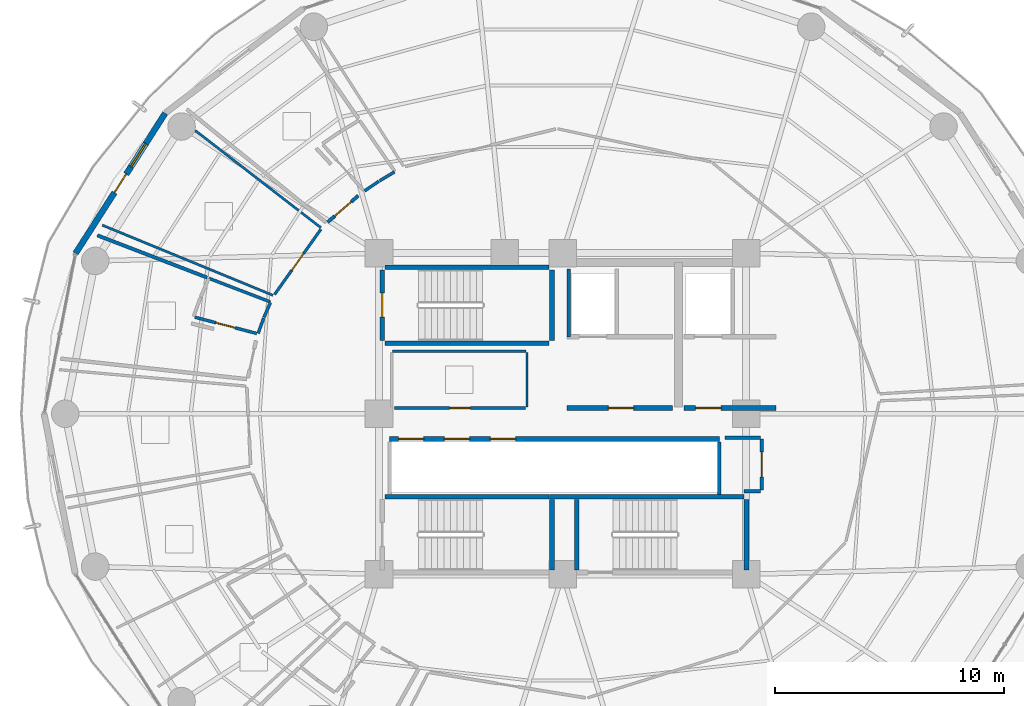
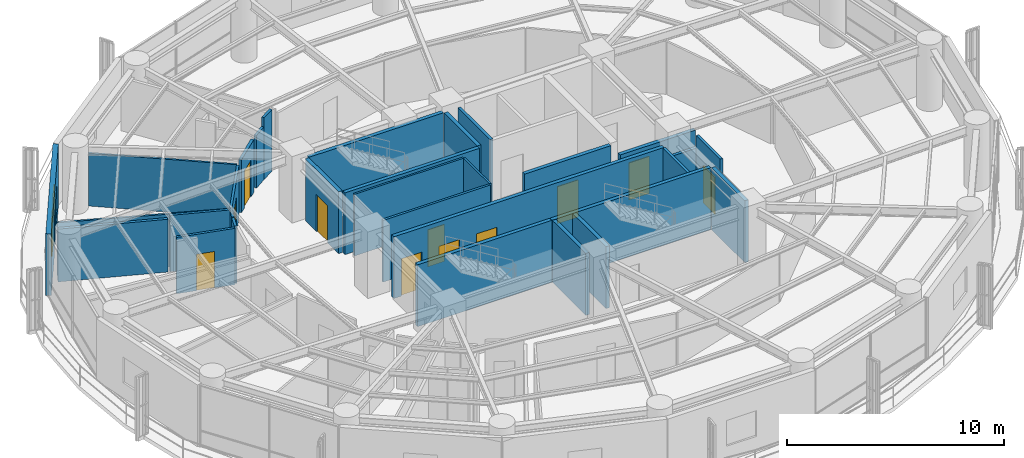
# One storey, part 23 of 28: 32 walls, 12 doors, 1 window, 13 openings.
"""IFC4 building model written with IfcOpenShell, lengths in metres."""

from ifc_helpers import new_model, si_unit, direction, frame, frame_2d, origin, place, context, subcontext, project, spatial, rectangle, extrude, material, layer, layer_set, type_object, element, fill, save


model = new_model("IFC4")

# Units and contexts
model_context = context("Model", 3, precision=1e-05, world=origin(), true_north=direction((0.0, 1.0)))
body_context = subcontext(model_context, "Body", "Model", "MODEL_VIEW")
ifc_project = project(units=[si_unit("LENGTHUNIT", "METRE"), si_unit("AREAUNIT", "SQUARE_METRE"), si_unit("VOLUMEUNIT", "CUBIC_METRE"), si_unit("PLANEANGLEUNIT", "RADIAN"), si_unit("MASSUNIT", "GRAM", prefix="KILO")], contexts=[model_context])

# Site, building, storey
site_placement = place(None, origin())
site = spatial("IfcSite", under=ifc_project, at=site_placement, CompositionType="ELEMENT")
building_placement = place(site_placement, origin())
building = spatial("IfcBuilding", under=site, at=building_placement, Name="Kelanora Arch Commons", CompositionType="ELEMENT")
storey_placement = place(building_placement, frame((0.0, 0.0, 158.10009765625)))
storey = spatial("IfcBuildingStorey", under=building, at=storey_placement, Name="L40", CompositionType="ELEMENT", Elevation=158.10009765625)

# Walls
ifc_material_1 = material(Name="Autoclaved aerated concrete blockwork with fire plaster", Category="masonry")
ifc_layer_1 = layer(ifc_material_1, 0.14990234375)
ifc_layer_set_1 = layer_set([ifc_layer_1], Name="Autoclaved aerated concrete blockwork with fire plaster")
wall_type_1 = type_object("IfcWallType", Name="W-COMP-150", PredefinedType="PARTITIONING", material=ifc_layer_set_1)
wall_1_placement = place(storey_placement, frame((74.280029296875, 61.35009765625, 0.0), z_axis=(0.0, 0.0, 1.0), x_axis=(0.0, 1.0, 0.0)))
element("IfcWall", 1, at=wall_1_placement, inside=storey, type_object=wall_type_1, Name="Firefighting Lift 1 West Shaft Wall L40", PredefinedType="PARTITIONING", context=body_context, shape_type="SweptSolid", body=[
    extrude(rectangle(XDim=2.969970703125, YDim=0.14990234375, at=frame_2d((1.48486328125, 0.0))), origin(), (0.0, 0.0, 1.0), 3.47998046875),
])
wall_2_placement = place(storey_placement, frame((80.840087890625, 54.47998046875, 0.0), z_axis=(0.0, 0.0, 1.0), x_axis=(0.0, 1.0, 0.0)))
element("IfcWall", 2, at=wall_2_placement, inside=storey, type_object=wall_type_1, Name="South Lift Bank East Wall L40", PredefinedType="PARTITIONING", context=body_context, shape_type="SweptSolid", body=[
    extrude(rectangle(XDim=2.2900390625, YDim=0.14990234375, at=frame_2d((1.14501953125, 0.0))), origin(), (0.0, 0.0, 1.0), 3.47998046875),
])

# Wall, opening, door
wall_3_placement = place(storey_placement, frame((82.679931640625, 54.679931640625, 0.0), z_axis=(0.0, 0.0, 1.0), x_axis=(0.0, 1.0, 0.0)))
wall_3 = element("IfcWall", 3, at=wall_3_placement, inside=storey, type_object=wall_type_1, Name="Core Housekeeping Store L40 Entry Partition", PredefinedType="PARTITIONING", context=body_context, shape_type="SweptSolid", body=[
    extrude(rectangle(XDim=2.2099609375, YDim=0.14990234375, at=frame_2d((1.10498046875, 0.0))), origin(), (0.0, 0.0, 1.0), 3.47998046875),
])
opening_1_placement = place(wall_3_placement, frame((0.56494140625, 0.0, 0.0)))
opening_1 = element("IfcOpeningElement", 4, at=opening_1_placement, cuts=wall_3, Name="Opening D-PLT1", PredefinedType="OPENING", context=body_context, shape_type="SweptSolid", body=[
    extrude(rectangle(XDim=1.080078125, YDim=2.10009765625, at=frame_2d((0.5400390625, 1.050048828125))), frame((0.0, 0.0849609375, 0.0), z_axis=(0.0, -1.0, 0.0), x_axis=(1.0, 0.0, 0.0)), (0.0, 0.0, 1.0), 0.169921875),
])
ifc_material_2 = material(Name="Galvanised steel plant and riser fire door", Category="steel")
door_type_1 = type_object("IfcDoorType", Name="D-PLT-110", OperationType="NOTDEFINED", PredefinedType="DOOR", material=ifc_material_2)
door_1_placement = place(opening_1_placement, origin())
door_1 = element("IfcDoor", 5, at=door_1_placement, inside=storey, type_object=door_type_1, Name="Core Housekeeping Store L40 Door", OperationType="SINGLE_SWING_RIGHT", OverallHeight=2.10009765625, OverallWidth=1.080078125, PredefinedType="DOOR", context=body_context, shape_type="SweptSolid", body=[
    extrude(rectangle(XDim=1.080078125, YDim=2.10009765625, at=frame_2d((0.5400390625, 1.050048828125))), frame((0.0, 0.02490234375, 0.0), z_axis=(0.0, -1.0, 0.0), x_axis=(1.0, 0.0, 0.0)), (0.0, 0.0, 1.0), 0.050048828125),
])
fill(opening_1, door_1)

wall_4_placement = place(storey_placement, frame((65.094482421875, 67.504638671875, 0.0), z_axis=(0.0, 0.0, 1.0), x_axis=(-0.756110527693, -0.654443939472, 0.0)))
wall_4 = element("IfcWall", 6, at=wall_4_placement, inside=storey, type_object=wall_type_1, Name="Cluster Bedroom L40-01 Entry Partition", PredefinedType="PARTITIONING", context=body_context, shape_type="SweptSolid", body=[
    extrude(rectangle(XDim=1.7578125, YDim=0.14990234375, at=frame_2d((0.87890625, 0.0))), origin(), (0.0, 0.0, 1.0), 2.974853515625),
])
opening_2_placement = place(wall_4_placement, frame((0.404052734375, 0.0, 0.0)))
opening_2 = element("IfcOpeningElement", 7, at=opening_2_placement, cuts=wall_4, Name="Opening D-CLU1", PredefinedType="OPENING", context=body_context, shape_type="SweptSolid", body=[
    extrude(rectangle(XDim=0.949951171875, YDim=2.080078125, at=frame_2d((0.47509765625, 1.0400390625))), frame((0.0, 0.0849609375, 0.0), z_axis=(0.0, -1.0, 0.0), x_axis=(1.0, 0.0, 0.0)), (0.0, 0.0, 1.0), 0.169921875),
])
ifc_material_3 = material(Name="Solid-core acoustic timber cluster entry fire door", Category="wood")
door_type_2 = type_object("IfcDoorType", Name="D-CLU-95", OperationType="NOTDEFINED", PredefinedType="DOOR", material=ifc_material_3)
door_2_placement = place(opening_2_placement, origin())
door_2 = element("IfcDoor", 8, at=door_2_placement, inside=storey, type_object=door_type_2, Name="Cluster Bedroom L40-01 Door", OperationType="SINGLE_SWING_LEFT", OverallHeight=2.080078125, OverallWidth=0.949951171875, PredefinedType="DOOR", context=body_context, shape_type="SweptSolid", body=[
    extrude(rectangle(XDim=0.949951171875, YDim=2.080078125, at=frame_2d((0.47509765625, 1.0400390625))), frame((0.0, 0.02490234375, 0.0), z_axis=(0.0, -1.0, 0.0), x_axis=(1.0, 0.0, 0.0)), (0.0, 0.0, 1.0), 0.050048828125),
])
fill(opening_2, door_2)

# Walls
wall_5_placement = place(storey_placement, frame((81.89990234375, 54.6201171875, 0.0), z_axis=(0.0, 0.0, 1.0), x_axis=(1.0, 0.0, 0.0)))
element("IfcWall", 9, at=wall_5_placement, inside=storey, type_object=wall_type_1, Name="Core Housekeeping Store L40 Enclosure Partition 1", PredefinedType="PARTITIONING", context=body_context, shape_type="SweptSolid", body=[
    extrude(rectangle(XDim=0.739990234375, YDim=0.14990234375, at=frame_2d((0.3701171875, 0.0))), origin(), (0.0, 0.0, 1.0), 2.77490234375),
])
wall_6_placement = place(storey_placement, frame((82.639892578125, 56.949951171875, 0.0), z_axis=(0.0, 0.0, 1.0), x_axis=(-1.0, 0.0, 0.0)))
element("IfcWall", 10, at=wall_6_placement, inside=storey, type_object=wall_type_1, Name="Core Housekeeping Store L40 Enclosure Partition 3", PredefinedType="PARTITIONING", context=body_context, shape_type="SweptSolid", body=[
    extrude(rectangle(XDim=1.5498046875, YDim=0.14990234375, at=frame_2d((0.77490234375, 0.0))), origin(), (0.0, 0.0, 1.0), 2.77490234375),
])
wall_7_placement = place(storey_placement, frame((53.723388671875, 65.776611328125, 0.0), z_axis=(0.0, 0.0, 1.0), x_axis=(0.933303856141, -0.359087610636, 0.0)))
element("IfcWall", 11, at=wall_7_placement, inside=storey, type_object=wall_type_1, Name="Cluster Bedroom L40-03 Enclosure Partition 5", PredefinedType="PARTITIONING", context=body_context, shape_type="SweptSolid", body=[
    extrude(rectangle(XDim=5.125, YDim=0.14990234375, at=frame_2d((2.5625, 0.0))), origin(), (0.0, 0.0, 1.0), 2.974853515625),
])

# Wall, openings, door, window
ifc_material_4 = material(Name="Precast concrete C40/50 with terracotta rainscreen", Category="masonry")
ifc_layer_2 = layer(ifc_material_4, 0.260009765625)
ifc_layer_set_2 = layer_set([ifc_layer_2], Name="Precast concrete C40/50 with terracotta rainscreen")
wall_type_2 = type_object("IfcWallType", Name="W-EXT-TC", PredefinedType="SOLIDWALL", material=ifc_layer_set_2)
wall_8_placement = place(storey_placement, frame((56.67919921875, 71.100341796875, 0.0), z_axis=(0.0, 0.0, 1.0), x_axis=(-0.538801521808, -0.842432739213, 0.0)))
wall_8 = element("IfcWall", 12, at=wall_8_placement, inside=storey, type_object=wall_type_2, Name="Terracotta Exterior Wall L40-B07", PredefinedType="SOLIDWALL", context=body_context, shape_type="SweptSolid", body=[
    extrude(rectangle(XDim=7.25341796875, YDim=0.260009765625, at=frame_2d((3.626708984375, 0.0))), origin(), (0.0, 0.0, 1.0), 3.474853515625),
])
opening_3_placement = place(wall_8_placement, frame((3.152099609375, 0.0, 0.0)))
opening_3 = element("IfcOpeningElement", 13, at=opening_3_placement, cuts=wall_8, Name="Opening DB-01", PredefinedType="OPENING", context=body_context, shape_type="SweptSolid", body=[
    extrude(rectangle(XDim=0.949951171875, YDim=2.10009765625, at=frame_2d((0.47509765625, 1.050048828125))), frame((0.0, 0.14013671875, 0.0), z_axis=(0.0, -1.0, 0.0), x_axis=(1.0, 0.0, 0.0)), (0.0, 0.0, 1.0), 0.280029296875),
])
opening_4_placement = place(wall_8_placement, frame((1.572021484375, 0.0, 0.85009765625)))
opening_4 = element("IfcOpeningElement", 14, at=opening_4_placement, cuts=wall_8, Name="Opening WN-02", PredefinedType="OPENING", context=body_context, shape_type="SweptSolid", body=[
    extrude(rectangle(XDim=1.199951171875, YDim=1.449951171875, at=frame_2d((0.60009765625, 0.72509765625))), frame((0.0, 0.14013671875, 0.0), z_axis=(0.0, -1.0, 0.0), x_axis=(1.0, 0.0, 0.0)), (0.0, 0.0, 1.0), 0.280029296875),
])
ifc_material_5 = material(Name="Terracotta-aluminium thermally broken glazed balcony door", Category="masonry")
door_type_3 = type_object("IfcDoorType", Name="D-BAL-10", OperationType="NOTDEFINED", PredefinedType="DOOR", material=ifc_material_5)
door_3_placement = place(opening_3_placement, frame((0.949951171875, 0.0, 0.0), z_axis=(0.0, 0.0, 1.0), x_axis=(-1.0, 0.0, 0.0)))
door_3 = element("IfcDoor", 15, at=door_3_placement, inside=storey, type_object=door_type_3, Name="Wave Balcony Door L40-B07", OperationType="SINGLE_SWING_RIGHT", OverallHeight=2.10009765625, OverallWidth=0.949951171875, PredefinedType="DOOR", context=body_context, shape_type="SweptSolid", body=[
    extrude(rectangle(XDim=0.949951171875, YDim=2.10009765625, at=frame_2d((0.47509765625, 1.050048828125))), frame((0.0, 0.02490234375, 0.0), z_axis=(0.0, -1.0, 0.0), x_axis=(1.0, 0.0, 0.0)), (0.0, 0.0, 1.0), 0.050048828125),
])
fill(opening_3, door_3)
ifc_material_6 = material(Name="Terracotta-anodised aluminium frame with operable awning sash", Category="masonry")
window_type = type_object("IfcWindowType", Name="WIN-CL-12", PartitioningType="SINGLE_PANEL", PredefinedType="WINDOW", material=ifc_material_6)
window_placement = place(opening_4_placement, origin())
window = element("IfcWindow", 16, at=window_placement, inside=storey, type_object=window_type, Name="Co-Living Operable Window L40-B07", OverallHeight=1.449951171875, OverallWidth=1.199951171875, PartitioningType="SINGLE_PANEL", PredefinedType="WINDOW", context=body_context, shape_type="SweptSolid", body=[
    extrude(rectangle(XDim=1.199951171875, YDim=1.449951171875, at=frame_2d((0.60009765625, 0.72509765625))), frame((0.0, 0.030029296875, 0.0), z_axis=(0.0, -1.0, 0.0), x_axis=(1.0, 0.0, 0.0)), (0.0, 0.0, 1.0), 0.06005859375),
])
fill(opening_4, window)

# Wall, opening, door
ifc_material_7 = material(Name="Concrete C40/50", Category="concrete")
ifc_layer_3 = layer(ifc_material_7, 0.199951171875)
ifc_layer_set_3 = layer_set([ifc_layer_3], Name="Concrete C40/50")
wall_type_3 = type_object("IfcWallType", Name="W-FFL-200", PredefinedType="SOLIDWALL", material=ifc_layer_set_3)
wall_9_placement = place(storey_placement, frame((74.199951171875, 58.25, 0.0), z_axis=(0.0, 0.0, 1.0), x_axis=(1.0, 0.0, 0.0)))
wall_9 = element("IfcWall", 17, at=wall_9_placement, inside=storey, type_object=wall_type_3, Name="Firefighting Lobby 1 Enclosure Wall L40", PredefinedType="SOLIDWALL", context=body_context, shape_type="SweptSolid", body=[
    extrude(rectangle(XDim=4.60009765625, YDim=0.199951171875, at=frame_2d((2.300048828125, 0.0))), origin(), (0.0, 0.0, 1.0), 3.47998046875),
])
opening_5_placement = place(wall_9_placement, frame((1.800048828125, 0.0, 0.0)))
opening_5 = element("IfcOpeningElement", 18, at=opening_5_placement, cuts=wall_9, Name="Opening D-FFL1", PredefinedType="OPENING", context=body_context, shape_type="SweptSolid", body=[
    extrude(rectangle(XDim=1.10009765625, YDim=2.10009765625, at=frame_2d((0.550048828125, 1.050048828125))), frame((0.0, 0.10986328125, 0.0), z_axis=(0.0, -1.0, 0.0), x_axis=(1.0, 0.0, 0.0)), (0.0, 0.0, 1.0), 0.219970703125),
])
ifc_material_8 = material(Name="Smoke-sealed firefighting lobby fire door")
door_type_4 = type_object("IfcDoorType", Name="D-FFL-110", OperationType="NOTDEFINED", PredefinedType="DOOR", material=ifc_material_8)
door_4_placement = place(opening_5_placement, frame((1.10009765625, 0.0, 0.0), z_axis=(0.0, 0.0, 1.0), x_axis=(-1.0, 0.0, 0.0)))
door_4 = element("IfcDoor", 19, at=door_4_placement, inside=storey, type_object=door_type_4, Name="Firefighting Lobby 1 Door L40", OperationType="SINGLE_SWING_LEFT", OverallHeight=2.10009765625, OverallWidth=1.10009765625, PredefinedType="DOOR", context=body_context, shape_type="SweptSolid", body=[
    extrude(rectangle(XDim=1.10009765625, YDim=2.10009765625, at=frame_2d((0.550048828125, 1.050048828125))), frame((0.0, 0.02490234375, 0.0), z_axis=(0.0, -1.0, 0.0), x_axis=(1.0, 0.0, 0.0)), (0.0, 0.0, 1.0), 0.050048828125),
])
fill(opening_5, door_4)

wall_10_placement = place(storey_placement, frame((79.300048828125, 58.25, 0.0), z_axis=(0.0, 0.0, 1.0), x_axis=(1.0, 0.0, 0.0)))
wall_10 = element("IfcWall", 20, at=wall_10_placement, inside=storey, type_object=wall_type_3, Name="Firefighting Lobby 2 Enclosure Wall L40", PredefinedType="SOLIDWALL", context=body_context, shape_type="SweptSolid", body=[
    extrude(rectangle(XDim=4.0, YDim=0.199951171875, at=frame_2d((2.0, 0.0))), origin(), (0.0, 0.0, 1.0), 2.77490234375),
])
opening_6_placement = place(wall_10_placement, frame((0.5, 0.0, 0.0)))
opening_6 = element("IfcOpeningElement", 21, at=opening_6_placement, cuts=wall_10, Name="Opening D-FFL1", PredefinedType="OPENING", context=body_context, shape_type="SweptSolid", body=[
    extrude(rectangle(XDim=1.10009765625, YDim=2.10009765625, at=frame_2d((0.550048828125, 1.050048828125))), frame((0.0, 0.10986328125, 0.0), z_axis=(0.0, -1.0, 0.0), x_axis=(1.0, 0.0, 0.0)), (0.0, 0.0, 1.0), 0.219970703125),
])
door_5_placement = place(opening_6_placement, frame((1.10009765625, 0.0, 0.0), z_axis=(0.0, 0.0, 1.0), x_axis=(-1.0, 0.0, 0.0)))
door_5 = element("IfcDoor", 22, at=door_5_placement, inside=storey, type_object=door_type_4, Name="Firefighting Lobby 2 Door L40", OperationType="SINGLE_SWING_RIGHT", OverallHeight=2.10009765625, OverallWidth=1.10009765625, PredefinedType="DOOR", context=body_context, shape_type="SweptSolid", body=[
    extrude(rectangle(XDim=1.10009765625, YDim=2.10009765625, at=frame_2d((0.550048828125, 1.050048828125))), frame((0.0, 0.02490234375, 0.0), z_axis=(0.0, -1.0, 0.0), x_axis=(1.0, 0.0, 0.0)), (0.0, 0.0, 1.0), 0.050048828125),
])
fill(opening_6, door_5)

# Wall, openings, doors
wall_11_placement = place(storey_placement, frame((66.449951171875, 56.89990234375, 0.0), z_axis=(0.0, 0.0, 1.0), x_axis=(1.0, 0.0, 0.0)))
wall_11 = element("IfcWall", 23, at=wall_11_placement, inside=storey, type_object=wall_type_3, Name="Mid/High/Express Lift Shaft Front L40", PredefinedType="SOLIDWALL", context=body_context, shape_type="SweptSolid", body=[
    extrude(rectangle(XDim=14.400146484375, YDim=0.199951171875, at=frame_2d((7.2001953125, 0.0))), origin(), (0.0, 0.0, 1.0), 3.47998046875),
])
opening_7_placement = place(wall_11_placement, frame((0.39990234375, 0.0, 0.0)))
opening_7 = element("IfcOpeningElement", 24, at=opening_7_placement, cuts=wall_11, Name="Opening LD-01", PredefinedType="OPENING", context=body_context, shape_type="SweptSolid", body=[
    extrude(rectangle(XDim=1.10009765625, YDim=2.10009765625, at=frame_2d((0.550048828125, 1.050048828125))), frame((0.0, 0.10986328125, 0.0), z_axis=(0.0, -1.0, 0.0), x_axis=(1.0, 0.0, 0.0)), (0.0, 0.0, 1.0), 0.219970703125),
])
opening_8_placement = place(wall_11_placement, frame((2.39990234375, 0.0, 0.0)))
opening_8 = element("IfcOpeningElement", 25, at=opening_8_placement, cuts=wall_11, Name="Opening LD-01", PredefinedType="OPENING", context=body_context, shape_type="SweptSolid", body=[
    extrude(rectangle(XDim=1.10009765625, YDim=2.10009765625, at=frame_2d((0.550048828125, 1.050048828125))), frame((0.0, 0.10986328125, 0.0), z_axis=(0.0, -1.0, 0.0), x_axis=(1.0, 0.0, 0.0)), (0.0, 0.0, 1.0), 0.219970703125),
])
opening_9_placement = place(wall_11_placement, frame((4.39990234375, 0.0, 0.0)))
opening_9 = element("IfcOpeningElement", 26, at=opening_9_placement, cuts=wall_11, Name="Opening LD-01", PredefinedType="OPENING", context=body_context, shape_type="SweptSolid", body=[
    extrude(rectangle(XDim=1.10009765625, YDim=2.10009765625, at=frame_2d((0.550048828125, 1.050048828125))), frame((0.0, 0.10986328125, 0.0), z_axis=(0.0, -1.0, 0.0), x_axis=(1.0, 0.0, 0.0)), (0.0, 0.0, 1.0), 0.219970703125),
])
ifc_material_9 = material(Name="Stainless steel passenger lift sliding landing door", Category="steel")
door_type_5 = type_object("IfcDoorType", Name="D-LIFT-110", OperationType="NOTDEFINED", PredefinedType="DOOR", material=ifc_material_9)
door_6_placement = place(opening_7_placement, origin())
door_6 = element("IfcDoor", 27, at=door_6_placement, inside=storey, type_object=door_type_5, Name="Passenger Lift LF-P4 Landing Door L40", OperationType="DOUBLE_DOOR_SLIDING", OverallHeight=2.10009765625, OverallWidth=1.10009765625, PredefinedType="DOOR", context=body_context, shape_type="SweptSolid", body=[
    extrude(rectangle(XDim=1.10009765625, YDim=2.10009765625, at=frame_2d((0.550048828125, 1.050048828125))), frame((0.0, 0.02490234375, 0.0), z_axis=(0.0, -1.0, 0.0), x_axis=(1.0, 0.0, 0.0)), (0.0, 0.0, 1.0), 0.050048828125),
])
fill(opening_7, door_6)
door_7_placement = place(opening_8_placement, origin())
door_7 = element("IfcDoor", 28, at=door_7_placement, inside=storey, type_object=door_type_5, Name="Passenger Lift LF-P5 Landing Door L40", OperationType="DOUBLE_DOOR_SLIDING", OverallHeight=2.10009765625, OverallWidth=1.10009765625, PredefinedType="DOOR", context=body_context, shape_type="SweptSolid", body=[
    extrude(rectangle(XDim=1.10009765625, YDim=2.10009765625, at=frame_2d((0.550048828125, 1.050048828125))), frame((0.0, 0.02490234375, 0.0), z_axis=(0.0, -1.0, 0.0), x_axis=(1.0, 0.0, 0.0)), (0.0, 0.0, 1.0), 0.050048828125),
])
fill(opening_8, door_7)
door_8_placement = place(opening_9_placement, origin())
door_8 = element("IfcDoor", 29, at=door_8_placement, inside=storey, type_object=door_type_5, Name="Passenger Lift LF-P6 Landing Door L40", OperationType="DOUBLE_DOOR_SLIDING", OverallHeight=2.10009765625, OverallWidth=1.10009765625, PredefinedType="DOOR", context=body_context, shape_type="SweptSolid", body=[
    extrude(rectangle(XDim=1.10009765625, YDim=2.10009765625, at=frame_2d((0.550048828125, 1.050048828125))), frame((0.0, 0.02490234375, 0.0), z_axis=(0.0, -1.0, 0.0), x_axis=(1.0, 0.0, 0.0)), (0.0, 0.0, 1.0), 0.050048828125),
])
fill(opening_9, door_8)

# Walls
ifc_material_10 = material(Name="Lightweight fire-rated acoustic stud partition")
ifc_layer_4 = layer(ifc_material_10, 0.10009765625)
ifc_layer_set_4 = layer_set([ifc_layer_4], Name="Lightweight fire-rated acoustic stud partition")
wall_type_4 = type_object("IfcWallType", Name="W-PART-100", PredefinedType="PARTITIONING", material=ifc_layer_set_4)
wall_12_placement = place(storey_placement, frame((72.449951171875, 58.2900390625, 0.0), z_axis=(0.0, 0.0, 1.0), x_axis=(0.0, 1.0, 0.0)))
element("IfcWall", 30, at=wall_12_placement, inside=storey, type_object=wall_type_4, Name="Reclaimed Core Study Pod Lounge L40 Enclosure Partition 2", PredefinedType="PARTITIONING", context=body_context, shape_type="SweptSolid", body=[
    extrude(rectangle(XDim=2.389892578125, YDim=0.10009765625, at=frame_2d((1.19482421875, 0.0))), origin(), (0.0, 0.0, 1.0), 3.47998046875),
])
wall_13_placement = place(storey_placement, frame((72.409912109375, 60.719970703125, 0.0), z_axis=(0.0, 0.0, 1.0), x_axis=(-1.0, 0.0, 0.0)))
element("IfcWall", 31, at=wall_13_placement, inside=storey, type_object=wall_type_4, Name="Reclaimed Core Study Pod Lounge L40 Enclosure Partition 3", PredefinedType="PARTITIONING", context=body_context, shape_type="SweptSolid", body=[
    extrude(rectangle(XDim=5.81982421875, YDim=0.10009765625, at=frame_2d((2.909912109375, 0.0))), origin(), (0.0, 0.0, 1.0), 3.47998046875),
])
wall_14_placement = place(storey_placement, frame((61.375, 63.164306640625, 0.0), z_axis=(0.0, 0.0, 1.0), x_axis=(-0.924943940784, 0.380103546953, 0.0)))
element("IfcWall", 32, at=wall_14_placement, inside=storey, type_object=wall_type_4, Name="Shared Cluster Kitchen L40-02 Enclosure Partition 2", PredefinedType="PARTITIONING", context=body_context, shape_type="SweptSolid", body=[
    extrude(rectangle(XDim=8.038330078125, YDim=0.10009765625, at=frame_2d((4.01904296875, 0.0))), origin(), (0.0, 0.0, 1.0), 2.974853515625),
])
wall_15_placement = place(storey_placement, frame((57.991943359375, 70.345947265625, 0.0), z_axis=(0.0, 0.0, 1.0), x_axis=(0.790939607083, -0.611894221207, 0.0)))
element("IfcWall", 33, at=wall_15_placement, inside=storey, type_object=wall_type_4, Name="Shared Cluster Kitchen L40-02 Enclosure Partition 4", PredefinedType="PARTITIONING", context=body_context, shape_type="SweptSolid", body=[
    extrude(rectangle(XDim=6.920166015625, YDim=0.10009765625, at=frame_2d((3.4599609375, 0.0))), origin(), (0.0, 0.0, 1.0), 2.974853515625),
])

# Wall, opening, door
ifc_material_11 = material(Name="Acoustic twin-stud fire-rated gypsum partition")
ifc_layer_5 = layer(ifc_material_11, 0.1201171875)
ifc_layer_set_5 = layer_set([ifc_layer_5], Name="Acoustic twin-stud fire-rated gypsum partition")
wall_type_5 = type_object("IfcWallType", Name="W-PART-120", PredefinedType="PARTITIONING", material=ifc_layer_set_5)
wall_16_placement = place(storey_placement, frame((66.67529296875, 58.25, 0.0), z_axis=(0.0, 0.0, 1.0), x_axis=(1.0, 0.0, 0.0)))
wall_16 = element("IfcWall", 34, at=wall_16_placement, inside=storey, type_object=wall_type_5, Name="Reclaimed Core Study Pod Lounge L40 Entry Partition", PredefinedType="PARTITIONING", context=body_context, shape_type="SweptSolid", body=[
    extrude(rectangle(XDim=5.714599609375, YDim=0.1201171875, at=frame_2d((2.857421875, 0.0))), origin(), (0.0, 0.0, 1.0), 3.47998046875),
])
opening_10_placement = place(wall_16_placement, frame((2.406982421875, 0.0, 0.0)))
opening_10 = element("IfcOpeningElement", 35, at=opening_10_placement, cuts=wall_16, Name="Opening D-RM1", PredefinedType="OPENING", context=body_context, shape_type="SweptSolid", body=[
    extrude(rectangle(XDim=0.89990234375, YDim=2.080078125, at=frame_2d((0.449951171875, 1.0400390625))), frame((0.0, 0.070068359375, 0.0), z_axis=(0.0, -1.0, 0.0), x_axis=(1.0, 0.0, 0.0)), (0.0, 0.0, 1.0), 0.14013671875),
])
ifc_material_12 = material(Name="Acoustic fire-rated timber study and lounge door", Category="wood")
door_type_6 = type_object("IfcDoorType", Name="D-ROOM-90", OperationType="NOTDEFINED", PredefinedType="DOOR", material=ifc_material_12)
door_9_placement = place(opening_10_placement, origin())
door_9 = element("IfcDoor", 36, at=door_9_placement, inside=storey, type_object=door_type_6, Name="Reclaimed Core Study Pod Lounge L40 Door", OperationType="SINGLE_SWING_LEFT", OverallHeight=2.080078125, OverallWidth=0.89990234375, PredefinedType="DOOR", context=body_context, shape_type="SweptSolid", body=[
    extrude(rectangle(XDim=0.89990234375, YDim=2.080078125, at=frame_2d((0.449951171875, 1.0400390625))), frame((0.0, 0.02490234375, 0.0), z_axis=(0.0, -1.0, 0.0), x_axis=(1.0, 0.0, 0.0)), (0.0, 0.0, 1.0), 0.050048828125),
])
fill(opening_10, door_9)

wall_17_placement = place(storey_placement, frame((63.46240234375, 66.0380859375, 0.0), z_axis=(0.0, 0.0, 1.0), x_axis=(-0.578762045024, -0.815496471629, 0.0)))
wall_17 = element("IfcWall", 37, at=wall_17_placement, inside=storey, type_object=wall_type_5, Name="Shared Cluster Kitchen L40-02 Entry Partition", PredefinedType="PARTITIONING", context=body_context, shape_type="SweptSolid", body=[
    extrude(rectangle(XDim=3.482666015625, YDim=0.1201171875, at=frame_2d((1.7412109375, 0.0))), origin(), (0.0, 0.0, 1.0), 2.974853515625),
])
opening_11_placement = place(wall_17_placement, frame((1.291015625, 0.0, 0.0)))
opening_11 = element("IfcOpeningElement", 38, at=opening_11_placement, cuts=wall_17, Name="Opening D-RM1", PredefinedType="OPENING", context=body_context, shape_type="SweptSolid", body=[
    extrude(rectangle(XDim=0.89990234375, YDim=2.080078125, at=frame_2d((0.449951171875, 1.0400390625))), frame((0.0, 0.070068359375, 0.0), z_axis=(0.0, -1.0, 0.0), x_axis=(1.0, 0.0, 0.0)), (0.0, 0.0, 1.0), 0.14013671875),
])
door_10_placement = place(opening_11_placement, origin())
door_10 = element("IfcDoor", 39, at=door_10_placement, inside=storey, type_object=door_type_6, Name="Shared Cluster Kitchen L40-02 Door", OperationType="SINGLE_SWING_RIGHT", OverallHeight=2.080078125, OverallWidth=0.89990234375, PredefinedType="DOOR", context=body_context, shape_type="SweptSolid", body=[
    extrude(rectangle(XDim=0.89990234375, YDim=2.080078125, at=frame_2d((0.449951171875, 1.0400390625))), frame((0.0, 0.02490234375, 0.0), z_axis=(0.0, -1.0, 0.0), x_axis=(1.0, 0.0, 0.0)), (0.0, 0.0, 1.0), 0.050048828125),
])
fill(opening_11, door_10)

# Walls
ifc_layer_6 = layer(ifc_material_7, 0.199951171875)
ifc_layer_set_6 = layer_set([ifc_layer_6], Name="Concrete C40/50")
wall_type_6 = type_object("IfcWallType", Name="W-STAIR-200", PredefinedType="SHEAR", material=ifc_layer_set_6)
wall_18_placement = place(storey_placement, frame((66.260009765625, 61.080078125, 0.0), z_axis=(0.0, 0.0, 1.0), x_axis=(1.0, 0.0, 0.0)))
element("IfcWall", 40, at=wall_18_placement, inside=storey, type_object=wall_type_6, Name="Stair ST-T1 Shaft Wall S L40", PredefinedType="SHEAR", context=body_context, shape_type="SweptSolid", body=[
    extrude(rectangle(XDim=7.159912109375, YDim=0.199951171875, at=frame_2d((3.580078125, 0.0))), origin(), (0.0, 0.0, 1.0), 3.489990234375),
])
wall_19_placement = place(storey_placement, frame((73.5400390625, 61.199951171875, 0.0), z_axis=(0.0, 0.0, 1.0), x_axis=(0.0, 1.0, 0.0)))
element("IfcWall", 41, at=wall_19_placement, inside=storey, type_object=wall_type_6, Name="Stair ST-T1 Shaft Wall E L40", PredefinedType="SHEAR", context=body_context, shape_type="SweptSolid", body=[
    extrude(rectangle(XDim=3.070068359375, YDim=0.199951171875, at=frame_2d((1.53515625, 0.0))), origin(), (0.0, 0.0, 1.0), 3.489990234375),
])
wall_20_placement = place(storey_placement, frame((73.419921875, 64.389892578125, 0.0), z_axis=(0.0, 0.0, 1.0), x_axis=(-1.0, 0.0, 0.0)))
element("IfcWall", 42, at=wall_20_placement, inside=storey, type_object=wall_type_6, Name="Stair ST-T1 Shaft Wall N L40", PredefinedType="SHEAR", context=body_context, shape_type="SweptSolid", body=[
    extrude(rectangle(XDim=7.159912109375, YDim=0.199951171875, at=frame_2d((3.580078125, 0.0))), origin(), (0.0, 0.0, 1.0), 3.489990234375),
])

# Wall, opening, door
wall_21_placement = place(storey_placement, frame((66.139892578125, 64.27001953125, 0.0), z_axis=(0.0, 0.0, 1.0), x_axis=(0.0, -1.0, 0.0)))
wall_21 = element("IfcWall", 43, at=wall_21_placement, inside=storey, type_object=wall_type_6, Name="Stair ST-T1 Shaft Wall W L40", PredefinedType="SHEAR", context=body_context, shape_type="SweptSolid", body=[
    extrude(rectangle(XDim=3.070068359375, YDim=0.199951171875, at=frame_2d((1.53515625, 0.0))), origin(), (0.0, 0.0, 1.0), 3.489990234375),
])
opening_12_placement = place(wall_21_placement, frame((1.010009765625, 0.0, 0.0)))
opening_12 = element("IfcOpeningElement", 44, at=opening_12_placement, cuts=wall_21, Name="Opening D-ST1", PredefinedType="OPENING", context=body_context, shape_type="SweptSolid", body=[
    extrude(rectangle(XDim=1.050048828125, YDim=2.10009765625, at=frame_2d((0.52490234375, 1.050048828125))), frame((0.0, 0.10986328125, 0.0), z_axis=(0.0, -1.0, 0.0), x_axis=(1.0, 0.0, 0.0)), (0.0, 0.0, 1.0), 0.219970703125),
])
ifc_material_13 = material(Name="Steel fire-rated stairwell escape door", Category="steel")
door_type_7 = type_object("IfcDoorType", Name="D-STAIR-110", OperationType="NOTDEFINED", PredefinedType="DOOR", material=ifc_material_13)
door_11_placement = place(opening_12_placement, origin())
door_11 = element("IfcDoor", 45, at=door_11_placement, inside=storey, type_object=door_type_7, Name="Stair ST-T1 Escape Door L40", OperationType="SINGLE_SWING_LEFT", OverallHeight=2.10009765625, OverallWidth=1.050048828125, PredefinedType="DOOR", context=body_context, shape_type="SweptSolid", body=[
    extrude(rectangle(XDim=1.050048828125, YDim=2.10009765625, at=frame_2d((0.52490234375, 1.050048828125))), frame((0.0, 0.02490234375, 0.0), z_axis=(0.0, -1.0, 0.0), x_axis=(1.0, 0.0, 0.0)), (0.0, 0.0, 1.0), 0.050048828125),
])
fill(opening_12, door_11)

# Walls
wall_22_placement = place(storey_placement, frame((82.02001953125, 51.199951171875, 0.0), z_axis=(0.0, 0.0, 1.0), x_axis=(0.0, 1.0, 0.0)))
element("IfcWall", 46, at=wall_22_placement, inside=storey, type_object=wall_type_6, Name="Stair ST-T2 Shaft Wall E L40", PredefinedType="SHEAR", context=body_context, shape_type="SweptSolid", body=[
    extrude(rectangle(XDim=3.070068359375, YDim=0.199951171875, at=frame_2d((1.53515625, 0.0))), origin(), (0.0, 0.0, 1.0), 3.489990234375),
])
wall_23_placement = place(storey_placement, frame((81.89990234375, 54.389892578125, 0.0), z_axis=(0.0, 0.0, 1.0), x_axis=(-1.0, 0.0, 0.0)))
element("IfcWall", 47, at=wall_23_placement, inside=storey, type_object=wall_type_6, Name="Stair ST-T2 Shaft Wall N L40", PredefinedType="SHEAR", context=body_context, shape_type="SweptSolid", body=[
    extrude(rectangle(XDim=8.4599609375, YDim=0.199951171875, at=frame_2d((4.22998046875, 0.0))), origin(), (0.0, 0.0, 1.0), 3.489990234375),
])
for number, where, z_axis, x_axis, name in (
    (48, (74.6201171875, 54.27001953125, 0.0), (0.0, 0.0, 1.0), (0.0, -1.0, 0.0), "Stair ST-T2 Shaft Wall W L40"),
    (49, (73.5400390625, 51.199951171875, 0.0), (0.0, 0.0, 1.0), (0.0, 1.0, 0.0), "Stair ST-T3 Shaft Wall E L40"),
):
    element("IfcWall", number, at=place(storey_placement, frame(where, z_axis=z_axis, x_axis=x_axis)), inside=storey, type_object=wall_type_6, Name=name, PredefinedType="SHEAR", context=body_context, shape_type="SweptSolid", body=[
        extrude(rectangle(XDim=3.070068359375, YDim=0.199951171875, at=frame_2d((1.53515625, 0.0))), origin(), (0.0, 0.0, 1.0), 3.489990234375),
    ])
wall_24_placement = place(storey_placement, frame((73.419921875, 54.389892578125, 0.0), z_axis=(0.0, 0.0, 1.0), x_axis=(-1.0, 0.0, 0.0)))
element("IfcWall", 50, at=wall_24_placement, inside=storey, type_object=wall_type_6, Name="Stair ST-T3 Shaft Wall N L40", PredefinedType="SHEAR", context=body_context, shape_type="SweptSolid", body=[
    extrude(rectangle(XDim=7.159912109375, YDim=0.199951171875, at=frame_2d((3.580078125, 0.0))), origin(), (0.0, 0.0, 1.0), 3.489990234375),
])

# Wall, opening, door
ifc_material_14 = material(Name="Moisture-resistant fire-rated cement-board plumbing wall")
ifc_layer_7 = layer(ifc_material_14, 0.1298828125)
ifc_layer_set_7 = layer_set([ifc_layer_7], Name="Moisture-resistant fire-rated cement-board plumbing wall")
wall_type_7 = type_object("IfcWallType", Name="W-WET-120", PredefinedType="PLUMBINGWALL", material=ifc_layer_set_7)
wall_25_placement = place(storey_placement, frame((60.6669921875, 61.500244140625, 0.0), z_axis=(0.0, 0.0, 1.0), x_axis=(-0.967098346806, 0.254402805813, 0.0)))
wall_25 = element("IfcWall", 51, at=wall_25_placement, inside=storey, type_object=wall_type_7, Name="En-Suite Shower WC L40-03 Entry Partition", PredefinedType="PLUMBINGWALL", context=body_context, shape_type="SweptSolid", body=[
    extrude(rectangle(XDim=2.788818359375, YDim=0.1298828125, at=frame_2d((1.39453125, 0.0))), origin(), (0.0, 0.0, 1.0), 3.1748046875),
])
opening_13_placement = place(wall_25_placement, frame((0.964111328125, 0.0, 0.0)))
opening_13 = element("IfcOpeningElement", 52, at=opening_13_placement, cuts=wall_25, Name="Opening D-BT1", PredefinedType="OPENING", context=body_context, shape_type="SweptSolid", body=[
    extrude(rectangle(XDim=0.860107421875, YDim=2.050048828125, at=frame_2d((0.43017578125, 1.02490234375))), frame((0.0, 0.074951171875, 0.0), z_axis=(0.0, -1.0, 0.0), x_axis=(1.0, 0.0, 0.0)), (0.0, 0.0, 1.0), 0.14990234375),
])
ifc_material_15 = material(Name="Moisture-sealed fire-rated accessible bathroom door")
door_type_8 = type_object("IfcDoorType", Name="D-BATH-85", OperationType="NOTDEFINED", PredefinedType="DOOR", material=ifc_material_15)
door_12_placement = place(opening_13_placement, origin())
door_12 = element("IfcDoor", 53, at=door_12_placement, inside=storey, type_object=door_type_8, Name="En-Suite Shower WC L40-03 Door", OperationType="SINGLE_SWING_LEFT", OverallHeight=2.050048828125, OverallWidth=0.860107421875, PredefinedType="DOOR", context=body_context, shape_type="SweptSolid", body=[
    extrude(rectangle(XDim=0.860107421875, YDim=2.050048828125, at=frame_2d((0.43017578125, 1.02490234375))), frame((0.0, 0.02490234375, 0.0), z_axis=(0.0, -1.0, 0.0), x_axis=(1.0, 0.0, 0.0)), (0.0, 0.0, 1.0), 0.050048828125),
])
fill(opening_13, door_12)

# Walls
wall_26_placement = place(storey_placement, frame((66.6748046875, 68.542724609375, 0.0), z_axis=(0.0, 0.0, 1.0), x_axis=(-0.85851758599, -0.5127841208, 0.0)))
element("IfcWall", 54, at=wall_26_placement, inside=storey, type_object=wall_type_7, Name="En-Suite Shower WC L40-01 Enclosure Partition 1", PredefinedType="PLUMBINGWALL", context=body_context, shape_type="SweptSolid", body=[
    extrude(rectangle(XDim=0.755615234375, YDim=0.1298828125, at=frame_2d((0.3779296875, 0.0))), origin(), (0.0, 0.0, 1.0), 3.47998046875),
])
wall_27_placement = place(storey_placement, frame((65.992431640625, 68.1337890625, 0.0), z_axis=(0.0, 0.0, 1.0), x_axis=(-0.82786992474, -0.560920125964, 0.0)))
element("IfcWall", 55, at=wall_27_placement, inside=storey, type_object=wall_type_7, Name="En-Suite Shower WC L40-01 Enclosure Partition 2", PredefinedType="PLUMBINGWALL", context=body_context, shape_type="SweptSolid", body=[
    extrude(rectangle(XDim=0.75, YDim=0.1298828125, at=frame_2d((0.375, 0.0))), origin(), (0.0, 0.0, 1.0), 2.974853515625),
])
wall_28_placement = place(storey_placement, frame((61.26806640625, 62.852783203125, 0.0), z_axis=(0.0, 0.0, 1.0), x_axis=(-0.398284741881, -0.917261829787, 0.0)))
element("IfcWall", 56, at=wall_28_placement, inside=storey, type_object=wall_type_7, Name="En-Suite Shower WC L40-03 Enclosure Partition 1", PredefinedType="PLUMBINGWALL", context=body_context, shape_type="SweptSolid", body=[
    extrude(rectangle(XDim=0.7080078125, YDim=0.1298828125, at=frame_2d((0.35400390625, 0.0))), origin(), (0.0, 0.0, 1.0), 3.23486328125),
])
wall_29_placement = place(storey_placement, frame((60.97119140625, 62.166259765625, 0.0), z_axis=(0.0, 0.0, 1.0), x_axis=(-0.340044773791, -0.940409246987, 0.0)))
element("IfcWall", 57, at=wall_29_placement, inside=storey, type_object=wall_type_7, Name="En-Suite Shower WC L40-03 Enclosure Partition 2", PredefinedType="PLUMBINGWALL", context=body_context, shape_type="SweptSolid", body=[
    extrude(rectangle(XDim=0.704345703125, YDim=0.1298828125, at=frame_2d((0.35205078125, 0.0))), origin(), (0.0, 0.0, 1.0), 3.23486328125),
])
wall_30_placement = place(storey_placement, frame((58.599609375, 63.898681640625, 0.0), z_axis=(0.0, 0.0, 1.0), x_axis=(0.933544382438, -0.358461833418, 0.0)))
element("IfcWall", 58, at=wall_30_placement, inside=storey, type_object=wall_type_7, Name="En-Suite Shower WC L40-03 Enclosure Partition 6", PredefinedType="PLUMBINGWALL", context=body_context, shape_type="SweptSolid", body=[
    extrude(rectangle(XDim=2.846923828125, YDim=0.1298828125, at=frame_2d((1.42333984375, 0.0))), origin(), (0.0, 0.0, 1.0), 3.1748046875),
])

save(model, "model.ifc")
